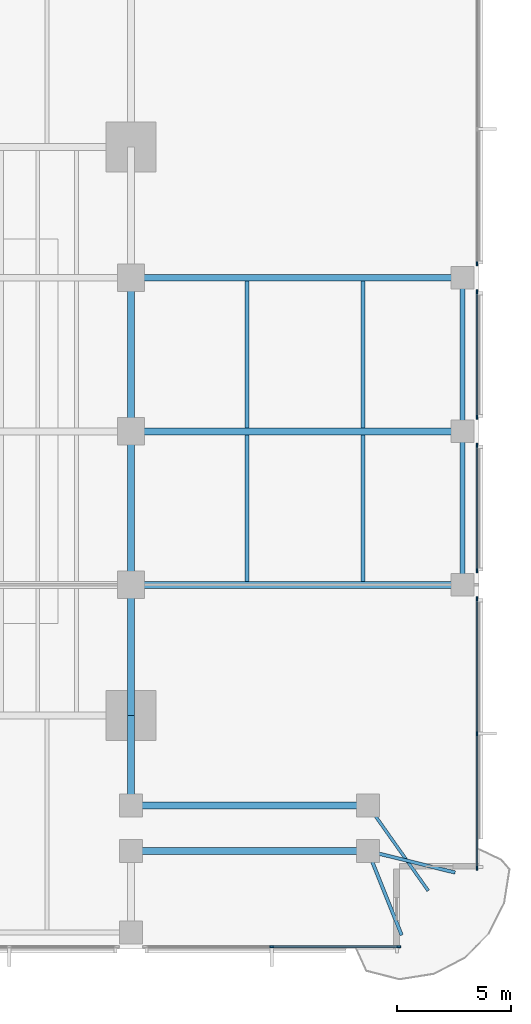
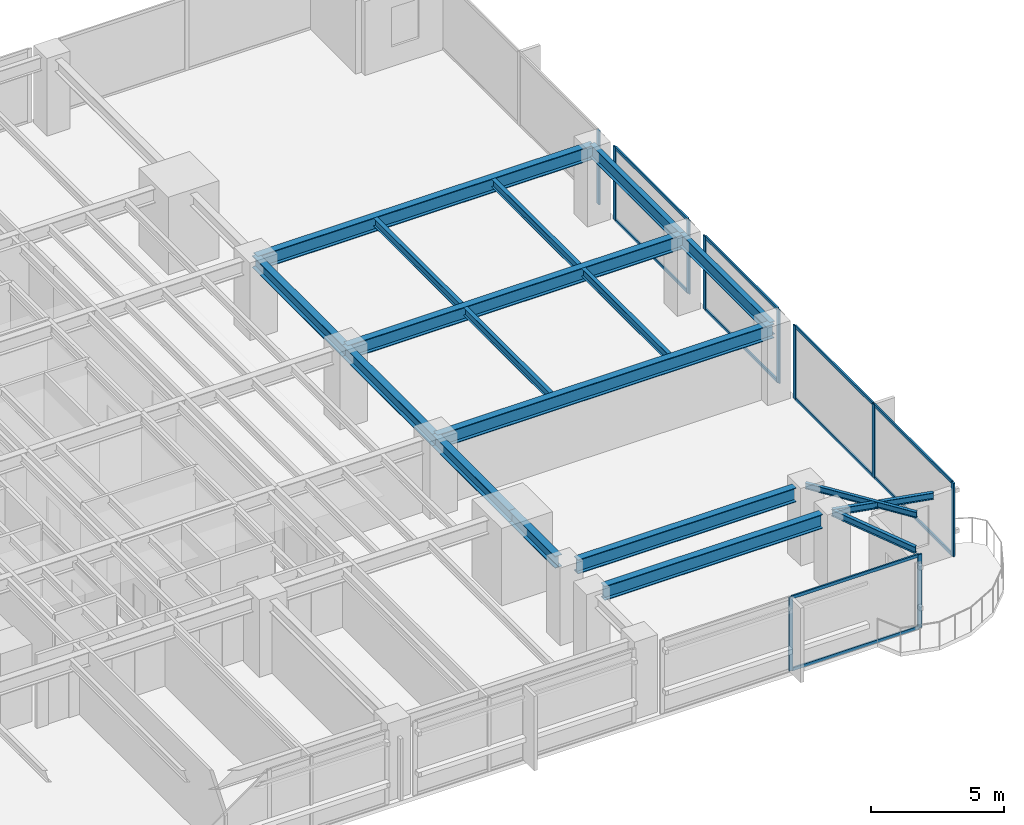
# One storey, part 4 of 15: 20 members, 18 beams, 5 elements without a shape of their own.
"""IFC4 building model written with IfcOpenShell, lengths in metres."""

from ifc_helpers import new_model, si_unit, direction, frame, origin, origin_2d, place, context, subcontext, project, spatial, rectangle, i_section, extrude, material, layer, layer_set, material_profile, profile_set, type_object, element, aggregate, save


model = new_model("IFC4")

# Units and contexts
model_context = context("Model", 3, precision=1e-05, world=origin(), true_north=direction((0.0, 1.0)))
body_context = subcontext(model_context, "Body", "Model", "MODEL_VIEW")
ifc_project = project(units=[si_unit("LENGTHUNIT", "METRE"), si_unit("AREAUNIT", "SQUARE_METRE"), si_unit("VOLUMEUNIT", "CUBIC_METRE"), si_unit("PLANEANGLEUNIT", "RADIAN"), si_unit("MASSUNIT", "GRAM", prefix="KILO")], contexts=[model_context])

# Site, building, storey
site_placement = place(None, origin())
site = spatial("IfcSite", under=ifc_project, at=site_placement, CompositionType="ELEMENT")
building_placement = place(site_placement, origin())
building = spatial("IfcBuilding", under=site, at=building_placement, Name="Kinhvarn Gate Tower", CompositionType="ELEMENT")
storey_placement = place(building_placement, frame((0.0, 0.0, 85.949951171875)))
storey = spatial("IfcBuildingStorey", under=building, at=storey_placement, Name="L22", CompositionType="ELEMENT", Elevation=85.949951171875)

# Curtain wall, members
ifc_material_1 = material(Name="Anodised aluminium AW-6063", Category="aluminium")
ifc_layer = layer(ifc_material_1, 0.179931640625)
ifc_layer_set = layer_set([ifc_layer], Name="Anodised aluminium AW-6063")
curtain_wall_type = type_object("IfcCurtainWallType", Name="CW-SYS-2", PredefinedType="NOTDEFINED", material=ifc_layer_set)
curtain_wall_1_placement = place(storey_placement, origin())
curtain_wall_1 = element("IfcCurtainWall", 1, at=curtain_wall_1_placement, inside=storey, type_object=curtain_wall_type, Name="Curtain Wall CW2 (L22)", PredefinedType="NOTDEFINED")
ifc_material_profile_1 = material_profile(ifc_material_1, rectangle(XDim=0.070068359375, YDim=0.179931640625, at=origin_2d()), Name="ALU 70x180")
ifc_profile_set_1 = profile_set([ifc_material_profile_1], Name="Anodised aluminium AW-6063")
member_type_1 = type_object("IfcMemberType", Name="CW-MUL-180", PredefinedType="MULLION", material=ifc_profile_set_1)
member_1_placement = place(storey_placement, frame((44.389892578125, 2.590087890625, 0.0), z_axis=(0.0, 0.0, 1.0), x_axis=(0.0, 1.0, 0.0)))
member_1 = element("IfcMember", 2, at=member_1_placement, type_object=member_type_1, Name="CW2 mullion 2", PredefinedType="MULLION", context=body_context, shape_type="SweptSolid", body=[
    extrude(rectangle(XDim=0.070068359375, YDim=0.179931640625, at=origin_2d()), origin(), (0.0, 0.0, 1.0), 3.3701171875),
])
member_2_placement = place(storey_placement, frame((49.965087890625, 2.590087890625, 0.0), z_axis=(0.0, 0.0, 1.0), x_axis=(0.0, 1.0, 0.0)))
member_2 = element("IfcMember", 3, at=member_2_placement, type_object=member_type_1, Name="CW2 mullion 3", PredefinedType="MULLION", context=body_context, shape_type="SweptSolid", body=[
    extrude(rectangle(XDim=0.070068359375, YDim=0.179931640625, at=origin_2d()), origin(), (0.0, 0.0, 1.0), 3.3701171875),
])

curtain_wall_2_placement = place(storey_placement, origin())
curtain_wall_2 = element("IfcCurtainWall", 4, at=curtain_wall_2_placement, inside=storey, type_object=curtain_wall_type, Name="Curtain Wall CW2 (L22)", PredefinedType="NOTDEFINED")
member_3_placement = place(storey_placement, frame((53.409912109375, 6.034912109375, 0.0), z_axis=(0.0, 0.0, 1.0), x_axis=(-1.0, 0.0, 0.0)))
member_3 = element("IfcMember", 5, at=member_3_placement, type_object=member_type_1, Name="CW2 mullion 1", PredefinedType="MULLION", context=body_context, shape_type="SweptSolid", body=[
    extrude(rectangle(XDim=0.070068359375, YDim=0.179931640625, at=origin_2d()), origin(), (0.0, 0.0, 1.0), 3.3701171875),
])
member_4_placement = place(storey_placement, frame((53.409912109375, 11.9599609375, 0.0), z_axis=(0.0, 0.0, 1.0), x_axis=(-1.0, 0.0, 0.0)))
member_4 = element("IfcMember", 6, at=member_4_placement, type_object=member_type_1, Name="CW2 mullion 2", PredefinedType="MULLION", context=body_context, shape_type="SweptSolid", body=[
    extrude(rectangle(XDim=0.070068359375, YDim=0.179931640625, at=origin_2d()), origin(), (0.0, 0.0, 1.0), 3.3701171875),
])
member_5_placement = place(storey_placement, frame((53.409912109375, 17.885009765625, 0.0), z_axis=(0.0, 0.0, 1.0), x_axis=(-1.0, 0.0, 0.0)))
member_5 = element("IfcMember", 7, at=member_5_placement, type_object=member_type_1, Name="CW2 mullion 3", PredefinedType="MULLION", context=body_context, shape_type="SweptSolid", body=[
    extrude(rectangle(XDim=0.070068359375, YDim=0.179931640625, at=origin_2d()), origin(), (0.0, 0.0, 1.0), 3.3701171875),
])

curtain_wall_3_placement = place(storey_placement, origin())
curtain_wall_3 = element("IfcCurtainWall", 8, at=curtain_wall_3_placement, inside=storey, type_object=curtain_wall_type, Name="Curtain Wall CW2 (L22)", PredefinedType="NOTDEFINED")
member_6_placement = place(storey_placement, frame((53.409912109375, 19.114990234375, 0.0), z_axis=(0.0, 0.0, 1.0), x_axis=(-1.0, 0.0, 0.0)))
member_6 = element("IfcMember", 9, at=member_6_placement, type_object=member_type_1, Name="CW2 mullion 1", PredefinedType="MULLION", context=body_context, shape_type="SweptSolid", body=[
    extrude(rectangle(XDim=0.070068359375, YDim=0.179931640625, at=origin_2d()), origin(), (0.0, 0.0, 1.0), 3.3701171875),
])
member_7_placement = place(storey_placement, frame((53.409912109375, 24.635009765625, 0.0), z_axis=(0.0, 0.0, 1.0), x_axis=(-1.0, 0.0, 0.0)))
member_7 = element("IfcMember", 10, at=member_7_placement, type_object=member_type_1, Name="CW2 mullion 2", PredefinedType="MULLION", context=body_context, shape_type="SweptSolid", body=[
    extrude(rectangle(XDim=0.070068359375, YDim=0.179931640625, at=origin_2d()), origin(), (0.0, 0.0, 1.0), 3.3701171875),
])

curtain_wall_4_placement = place(storey_placement, origin())
curtain_wall_4 = element("IfcCurtainWall", 11, at=curtain_wall_4_placement, inside=storey, type_object=curtain_wall_type, Name="Curtain Wall CW2 (L22)", PredefinedType="NOTDEFINED")
member_8_placement = place(storey_placement, frame((53.409912109375, 25.864990234375, 0.0), z_axis=(0.0, 0.0, 1.0), x_axis=(-1.0, 0.0, 0.0)))
member_8 = element("IfcMember", 12, at=member_8_placement, type_object=member_type_1, Name="CW2 mullion 1", PredefinedType="MULLION", context=body_context, shape_type="SweptSolid", body=[
    extrude(rectangle(XDim=0.070068359375, YDim=0.179931640625, at=origin_2d()), origin(), (0.0, 0.0, 1.0), 3.3701171875),
])
member_9_placement = place(storey_placement, frame((53.409912109375, 31.385009765625, 0.0), z_axis=(0.0, 0.0, 1.0), x_axis=(-1.0, 0.0, 0.0)))
member_9 = element("IfcMember", 13, at=member_9_placement, type_object=member_type_1, Name="CW2 mullion 2", PredefinedType="MULLION", context=body_context, shape_type="SweptSolid", body=[
    extrude(rectangle(XDim=0.070068359375, YDim=0.179931640625, at=origin_2d()), origin(), (0.0, 0.0, 1.0), 3.3701171875),
])

# Curtain wall, member
curtain_wall_5_placement = place(storey_placement, origin())
curtain_wall_5 = element("IfcCurtainWall", 14, at=curtain_wall_5_placement, inside=storey, type_object=curtain_wall_type, Name="Curtain Wall CW2 (L22)", PredefinedType="NOTDEFINED")
member_10_placement = place(storey_placement, frame((53.409912109375, 32.614990234375, 0.0), z_axis=(0.0, 0.0, 1.0), x_axis=(-1.0, 0.0, 0.0)))
member_10 = element("IfcMember", 15, at=member_10_placement, type_object=member_type_1, Name="CW2 mullion 1", PredefinedType="MULLION", context=body_context, shape_type="SweptSolid", body=[
    extrude(rectangle(XDim=0.070068359375, YDim=0.179931640625, at=origin_2d()), origin(), (0.0, 0.0, 1.0), 3.3701171875),
])
aggregate(curtain_wall_5, [member_10])

# Member
ifc_material_profile_2 = material_profile(ifc_material_1, rectangle(XDim=0.070068359375, YDim=0.139892578125, at=origin_2d()), Name="ALU 70x140")
ifc_profile_set_2 = profile_set([ifc_material_profile_2], Name="Anodised aluminium AW-6063")
member_type_2 = type_object("IfcMemberType", Name="CW-TRN-140", PredefinedType="USERDEFINED", material=ifc_profile_set_2)
member_11_placement = place(storey_placement, frame((44.425048828125, 2.590087890625, 0.03515625), z_axis=(1.0, 0.0, 0.0), x_axis=(0.0, 1.0, 0.0)))
member_11 = element("IfcMember", 16, at=member_11_placement, type_object=member_type_2, Name="CW2 transom 2.1", ObjectType="TRANSOM", PredefinedType="USERDEFINED", context=body_context, shape_type="SweptSolid", body=[
    extrude(rectangle(XDim=0.070068359375, YDim=0.139892578125, at=origin_2d()), origin(), (0.0, 0.0, 1.0), 5.5048828125),
])

member_12_placement = place(storey_placement, frame((44.425048828125, 2.590087890625, 3.3349609375), z_axis=(1.0, 0.0, 0.0), x_axis=(0.0, 1.0, 0.0)))
member_12 = element("IfcMember", 17, at=member_12_placement, type_object=member_type_2, Name="CW2 transom 2.2", ObjectType="TRANSOM", PredefinedType="USERDEFINED", context=body_context, shape_type="SweptSolid", body=[
    extrude(rectangle(XDim=0.070068359375, YDim=0.139892578125, at=origin_2d()), origin(), (0.0, 0.0, 1.0), 5.5048828125),
])

aggregate(curtain_wall_1, [member_1, member_2, member_11, member_12])

member_13_placement = place(storey_placement, frame((53.409912109375, 6.070068359375, 0.03515625), z_axis=(0.0, 1.0, 0.0), x_axis=(-1.0, 0.0, 0.0)))
member_13 = element("IfcMember", 18, at=member_13_placement, type_object=member_type_2, Name="CW2 transom 1.1", ObjectType="TRANSOM", PredefinedType="USERDEFINED", context=body_context, shape_type="SweptSolid", body=[
    extrude(rectangle(XDim=0.070068359375, YDim=0.139892578125, at=origin_2d()), origin(), (0.0, 0.0, 1.0), 5.85498046875),
])

member_14_placement = place(storey_placement, frame((53.409912109375, 6.070068359375, 3.3349609375), z_axis=(0.0, 1.0, 0.0), x_axis=(-1.0, 0.0, 0.0)))
member_14 = element("IfcMember", 19, at=member_14_placement, type_object=member_type_2, Name="CW2 transom 1.2", ObjectType="TRANSOM", PredefinedType="USERDEFINED", context=body_context, shape_type="SweptSolid", body=[
    extrude(rectangle(XDim=0.070068359375, YDim=0.139892578125, at=origin_2d()), origin(), (0.0, 0.0, 1.0), 5.85498046875),
])

member_15_placement = place(storey_placement, frame((53.409912109375, 11.9951171875, 0.03515625), z_axis=(0.0, 1.0, 0.0), x_axis=(-1.0, 0.0, 0.0)))
member_15 = element("IfcMember", 20, at=member_15_placement, type_object=member_type_2, Name="CW2 transom 2.1", ObjectType="TRANSOM", PredefinedType="USERDEFINED", context=body_context, shape_type="SweptSolid", body=[
    extrude(rectangle(XDim=0.070068359375, YDim=0.139892578125, at=origin_2d()), origin(), (0.0, 0.0, 1.0), 5.85498046875),
])

member_16_placement = place(storey_placement, frame((53.409912109375, 11.9951171875, 3.3349609375), z_axis=(0.0, 1.0, 0.0), x_axis=(-1.0, 0.0, 0.0)))
member_16 = element("IfcMember", 21, at=member_16_placement, type_object=member_type_2, Name="CW2 transom 2.2", ObjectType="TRANSOM", PredefinedType="USERDEFINED", context=body_context, shape_type="SweptSolid", body=[
    extrude(rectangle(XDim=0.070068359375, YDim=0.139892578125, at=origin_2d()), origin(), (0.0, 0.0, 1.0), 5.85498046875),
])

aggregate(curtain_wall_2, [member_3, member_4, member_5, member_13, member_14, member_15, member_16])

member_17_placement = place(storey_placement, frame((53.409912109375, 19.14990234375, 0.03515625), z_axis=(0.0, 1.0, 0.0), x_axis=(-1.0, 0.0, 0.0)))
member_17 = element("IfcMember", 22, at=member_17_placement, type_object=member_type_2, Name="CW2 transom 1.1", ObjectType="TRANSOM", PredefinedType="USERDEFINED", context=body_context, shape_type="SweptSolid", body=[
    extrude(rectangle(XDim=0.070068359375, YDim=0.139892578125, at=origin_2d()), origin(), (0.0, 0.0, 1.0), 5.4501953125),
])

member_18_placement = place(storey_placement, frame((53.409912109375, 19.14990234375, 3.3349609375), z_axis=(0.0, 1.0, 0.0), x_axis=(-1.0, 0.0, 0.0)))
member_18 = element("IfcMember", 23, at=member_18_placement, type_object=member_type_2, Name="CW2 transom 1.2", ObjectType="TRANSOM", PredefinedType="USERDEFINED", context=body_context, shape_type="SweptSolid", body=[
    extrude(rectangle(XDim=0.070068359375, YDim=0.139892578125, at=origin_2d()), origin(), (0.0, 0.0, 1.0), 5.4501953125),
])

aggregate(curtain_wall_3, [member_6, member_7, member_17, member_18])

member_19_placement = place(storey_placement, frame((53.409912109375, 25.89990234375, 0.03515625), z_axis=(0.0, 1.0, 0.0), x_axis=(-1.0, 0.0, 0.0)))
member_19 = element("IfcMember", 24, at=member_19_placement, type_object=member_type_2, Name="CW2 transom 1.1", ObjectType="TRANSOM", PredefinedType="USERDEFINED", context=body_context, shape_type="SweptSolid", body=[
    extrude(rectangle(XDim=0.070068359375, YDim=0.139892578125, at=origin_2d()), origin(), (0.0, 0.0, 1.0), 5.4501953125),
])

member_20_placement = place(storey_placement, frame((53.409912109375, 25.89990234375, 3.3349609375), z_axis=(0.0, 1.0, 0.0), x_axis=(-1.0, 0.0, 0.0)))
member_20 = element("IfcMember", 25, at=member_20_placement, type_object=member_type_2, Name="CW2 transom 1.2", ObjectType="TRANSOM", PredefinedType="USERDEFINED", context=body_context, shape_type="SweptSolid", body=[
    extrude(rectangle(XDim=0.070068359375, YDim=0.139892578125, at=origin_2d()), origin(), (0.0, 0.0, 1.0), 5.4501953125),
])

aggregate(curtain_wall_4, [member_8, member_9, member_19, member_20])

# Beams
ifc_material_2 = material(Name="Steel S355", Category="steel")
ifc_material_profile_3 = material_profile(ifc_material_2, i_section(OverallWidth=0.300048828125, OverallDepth=0.550048828125, WebThickness=0.014892578125, FlangeThickness=0.029052734375, at=origin_2d()), Name="HEB 550")
ifc_profile_set_3 = profile_set([ifc_material_profile_3], Name="Steel S355")
beam_type_1 = type_object("IfcBeamType", Name="STL-HEB550", PredefinedType="BEAM", material=ifc_profile_set_3)
beam_1_placement = place(storey_placement, frame((38.199951171875, 9.284912109375, 3.094970703125), z_axis=(0.0, 1.0, 0.0), x_axis=(-1.0, 0.0, 0.0)))
element("IfcBeam", 26, at=beam_1_placement, inside=storey, type_object=beam_type_1, Name="Floor Beam PG-15 (L22 MCE-S-A2)", PredefinedType="BEAM", context=body_context, shape_type="SweptSolid", body=[
    extrude(i_section(OverallWidth=0.300048828125, OverallDepth=0.550048828125, WebThickness=0.014892578125, FlangeThickness=0.029052734375, at=origin_2d()), origin(), (0.0, 0.0, 1.0), 3.465087890625),
])
beam_2_placement = place(storey_placement, frame((38.199951171875, 12.75, 3.094970703125), z_axis=(0.0, 1.0, 0.0), x_axis=(-1.0, 0.0, 0.0)))
element("IfcBeam", 27, at=beam_2_placement, inside=storey, type_object=beam_type_1, Name="Floor Beam PG-15 (L22 MG-E-12)", PredefinedType="BEAM", context=body_context, shape_type="SweptSolid", body=[
    extrude(i_section(OverallWidth=0.300048828125, OverallDepth=0.550048828125, WebThickness=0.014892578125, FlangeThickness=0.029052734375, at=origin_2d()), origin(), (0.0, 0.0, 1.0), 5.75),
])
for number, where, z_axis, x_axis, name in (
    (28, (38.199951171875, 18.5, 3.094970703125), (0.0, 1.0, 0.0), (-1.0, 0.0, 0.0), "Floor Beam PG-15 (L22 MG-E-18)"),
    (29, (38.199951171875, 25.25, 3.094970703125), (0.0, 1.0, 0.0), (-1.0, 0.0, 0.0), "Floor Beam PG-15 (L22 MG-E-25)"),
):
    element("IfcBeam", number, at=place(storey_placement, frame(where, z_axis=z_axis, x_axis=x_axis)), inside=storey, type_object=beam_type_1, Name=name, PredefinedType="BEAM", context=body_context, shape_type="SweptSolid", body=[
        extrude(i_section(OverallWidth=0.300048828125, OverallDepth=0.550048828125, WebThickness=0.014892578125, FlangeThickness=0.029052734375, at=origin_2d()), origin(), (0.0, 0.0, 1.0), 6.75),
    ])
ifc_material_profile_4 = material_profile(ifc_material_2, i_section(OverallWidth=0.300048828125, OverallDepth=0.64990234375, WebThickness=0.01611328125, FlangeThickness=0.031005859375, at=origin_2d()), Name="HEB 650")
ifc_profile_set_4 = profile_set([ifc_material_profile_4], Name="Steel S355")
beam_type_2 = type_object("IfcBeamType", Name="STL-HEB650", PredefinedType="BEAM", material=ifc_profile_set_4)
for number, where, z_axis, x_axis, name in (
    (30, (38.68505859375, 8.800048828125, 3.045166015625), (1.0, 0.0, 0.0), (0.0, 1.0, 0.0), "Floor Beam PG-17 (L22 SP-SE1B)"),
    (31, (38.68505859375, 6.800048828125, 3.045166015625), (1.0, 0.0, 0.0), (0.0, 1.0, 0.0), "Floor Beam PG-17 (L22 SP-SE1A)"),
):
    element("IfcBeam", number, at=place(storey_placement, frame(where, z_axis=z_axis, x_axis=x_axis)), inside=storey, type_object=beam_type_2, Name=name, PredefinedType="BEAM", context=body_context, shape_type="SweptSolid", body=[
        extrude(i_section(OverallWidth=0.300048828125, OverallDepth=0.64990234375, WebThickness=0.01611328125, FlangeThickness=0.031005859375, at=origin_2d()), origin(), (0.0, 0.0, 1.0), 9.449951171875),
    ])
for number, where, z_axis, x_axis, name in (
    (32, (38.199951171875, 18.5, 3.045166015625), (1.0, 0.0, 0.0), (0.0, 1.0, 0.0), "Floor Beam PG-17 (L22 EW2-Y18)"),
    (33, (38.199951171875, 25.25, 3.045166015625), (1.0, 0.0, 0.0), (0.0, 1.0, 0.0), "Floor Beam PG-17 (L22 EW2-Y25)"),
    (34, (38.199951171875, 32.0, 3.045166015625), (1.0, 0.0, 0.0), (0.0, 1.0, 0.0), "Floor Beam PG-17 (L22 EW2-Y32)"),
):
    element("IfcBeam", number, at=place(storey_placement, frame(where, z_axis=z_axis, x_axis=x_axis)), inside=storey, type_object=beam_type_2, Name=name, PredefinedType="BEAM", context=body_context, shape_type="SweptSolid", body=[
        extrude(i_section(OverallWidth=0.300048828125, OverallDepth=0.64990234375, WebThickness=0.01611328125, FlangeThickness=0.031005859375, at=origin_2d()), origin(), (0.0, 0.0, 1.0), 14.580078125),
    ])
ifc_material_profile_5 = material_profile(ifc_material_2, i_section(OverallWidth=0.135009765625, OverallDepth=0.27001953125, WebThickness=0.006591796875, FlangeThickness=0.01025390625, at=origin_2d()), Name="IPE 270")
ifc_profile_set_5 = profile_set([ifc_material_profile_5], Name="Steel S355")
beam_type_3 = type_object("IfcBeamType", Name="STL-IPE270", PredefinedType="JOIST", material=ifc_profile_set_5)
beam_3_placement = place(storey_placement, frame((48.6201171875, 8.800048828125, 3.235107421875), z_axis=(0.57709644225, -0.81667600451, 0.0), x_axis=(0.81667600451, 0.57709644225, 0.0)))
element("IfcBeam", 35, at=beam_3_placement, inside=storey, type_object=beam_type_3, Name="Floor Joist SB-01 (L22 BAL-B3-L23)", PredefinedType="JOIST", context=body_context, shape_type="SweptSolid", body=[
    extrude(i_section(OverallWidth=0.135009765625, OverallDepth=0.27001953125, WebThickness=0.006591796875, FlangeThickness=0.01025390625, at=origin_2d()), origin(), (0.0, 0.0, 1.0), 4.591796875),
])
ifc_material_profile_6 = material_profile(ifc_material_2, i_section(OverallWidth=0.14990234375, OverallDepth=0.300048828125, WebThickness=0.007080078125, FlangeThickness=0.0107421875, at=origin_2d()), Name="IPE 300")
ifc_profile_set_6 = profile_set([ifc_material_profile_6], Name="Steel S355")
beam_type_4 = type_object("IfcBeamType", Name="STL-IPE300", PredefinedType="JOIST", material=ifc_profile_set_6)
beam_4_placement = place(storey_placement, frame((48.6201171875, 6.800048828125, 3.219970703125), z_axis=(0.97058851083, -0.240744558911, 0.0), x_axis=(0.240744558911, 0.97058851083, 0.0)))
element("IfcBeam", 36, at=beam_4_placement, inside=storey, type_object=beam_type_4, Name="Floor Joist SB-02 (L22 BAL-B1-L23)", PredefinedType="JOIST", context=body_context, shape_type="SweptSolid", body=[
    extrude(i_section(OverallWidth=0.14990234375, OverallDepth=0.300048828125, WebThickness=0.007080078125, FlangeThickness=0.0107421875, at=origin_2d()), origin(), (0.0, 0.0, 1.0), 3.94580078125),
])
beam_5_placement = place(storey_placement, frame((48.6201171875, 6.800048828125, 3.219970703125), z_axis=(0.371390676354, -0.928476690885, 0.0), x_axis=(0.928476690885, 0.371390676354, 0.0)))
element("IfcBeam", 37, at=beam_5_placement, inside=storey, type_object=beam_type_4, Name="Floor Joist SB-02 (L22 BAL-B2-L23)", PredefinedType="JOIST", context=body_context, shape_type="SweptSolid", body=[
    extrude(i_section(OverallWidth=0.14990234375, OverallDepth=0.300048828125, WebThickness=0.007080078125, FlangeThickness=0.0107421875, at=origin_2d()), origin(), (0.0, 0.0, 1.0), 3.98486328125),
])
ifc_material_profile_7 = material_profile(ifc_material_2, i_section(OverallWidth=0.169921875, OverallDepth=0.360107421875, WebThickness=0.008056640625, FlangeThickness=0.0126953125, at=origin_2d()), Name="IPE 360")
ifc_profile_set_7 = profile_set([ifc_material_profile_7], Name="Steel S355")
beam_type_5 = type_object("IfcBeamType", Name="STL-IPE360", PredefinedType="JOIST", material=ifc_profile_set_7)
for number, where, z_axis, x_axis, name in (
    (38, (43.300048828125, 18.64990234375, 3.18994140625), (0.0, 1.0, 0.0), (-1.0, 0.0, 0.0), "Floor Joist SB-04 (L22 JC-X433-1)"),
    (39, (43.300048828125, 25.39990234375, 3.18994140625), (0.0, 1.0, 0.0), (-1.0, 0.0, 0.0), "Floor Joist SB-04 (L22 JC-X433-2)"),
    (40, (48.409912109375, 18.64990234375, 3.18994140625), (0.0, 1.0, 0.0), (-1.0, 0.0, 0.0), "Floor Joist SB-04 (L22 JC-X484-1)"),
    (41, (48.409912109375, 25.39990234375, 3.18994140625), (0.0, 1.0, 0.0), (-1.0, 0.0, 0.0), "Floor Joist SB-04 (L22 JC-X484-2)"),
):
    element("IfcBeam", number, at=place(storey_placement, frame(where, z_axis=z_axis, x_axis=x_axis)), inside=storey, type_object=beam_type_5, Name=name, PredefinedType="JOIST", context=body_context, shape_type="SweptSolid", body=[
        extrude(i_section(OverallWidth=0.169921875, OverallDepth=0.360107421875, WebThickness=0.008056640625, FlangeThickness=0.0126953125, at=origin_2d()), origin(), (0.0, 0.0, 1.0), 6.4501953125),
    ])
ifc_material_profile_8 = material_profile(ifc_material_2, i_section(OverallWidth=0.219970703125, OverallDepth=0.60009765625, WebThickness=0.011962890625, FlangeThickness=0.01904296875, at=origin_2d()), Name="IPE 600")
ifc_profile_set_8 = profile_set([ifc_material_profile_8], Name="Steel S355")
beam_type_6 = type_object("IfcBeamType", Name="STL-IPE600", PredefinedType="SPANDREL", material=ifc_profile_set_8)
for number, where, z_axis, x_axis, name in (
    (42, (52.780029296875, 18.5, 3.070068359375), (0.0, 1.0, 0.0), (-1.0, 0.0, 0.0), "Floor Spandrel SB-09 (L22 SP-E2)"),
    (43, (52.780029296875, 25.25, 3.070068359375), (0.0, 1.0, 0.0), (-1.0, 0.0, 0.0), "Floor Spandrel SB-09 (L22 SP-E3)"),
):
    element("IfcBeam", number, at=place(storey_placement, frame(where, z_axis=z_axis, x_axis=x_axis)), inside=storey, type_object=beam_type_6, Name=name, PredefinedType="SPANDREL", context=body_context, shape_type="SweptSolid", body=[
        extrude(i_section(OverallWidth=0.219970703125, OverallDepth=0.60009765625, WebThickness=0.011962890625, FlangeThickness=0.01904296875, at=origin_2d()), origin(), (0.0, 0.0, 1.0), 6.75),
    ])

save(model, "model.ifc")
